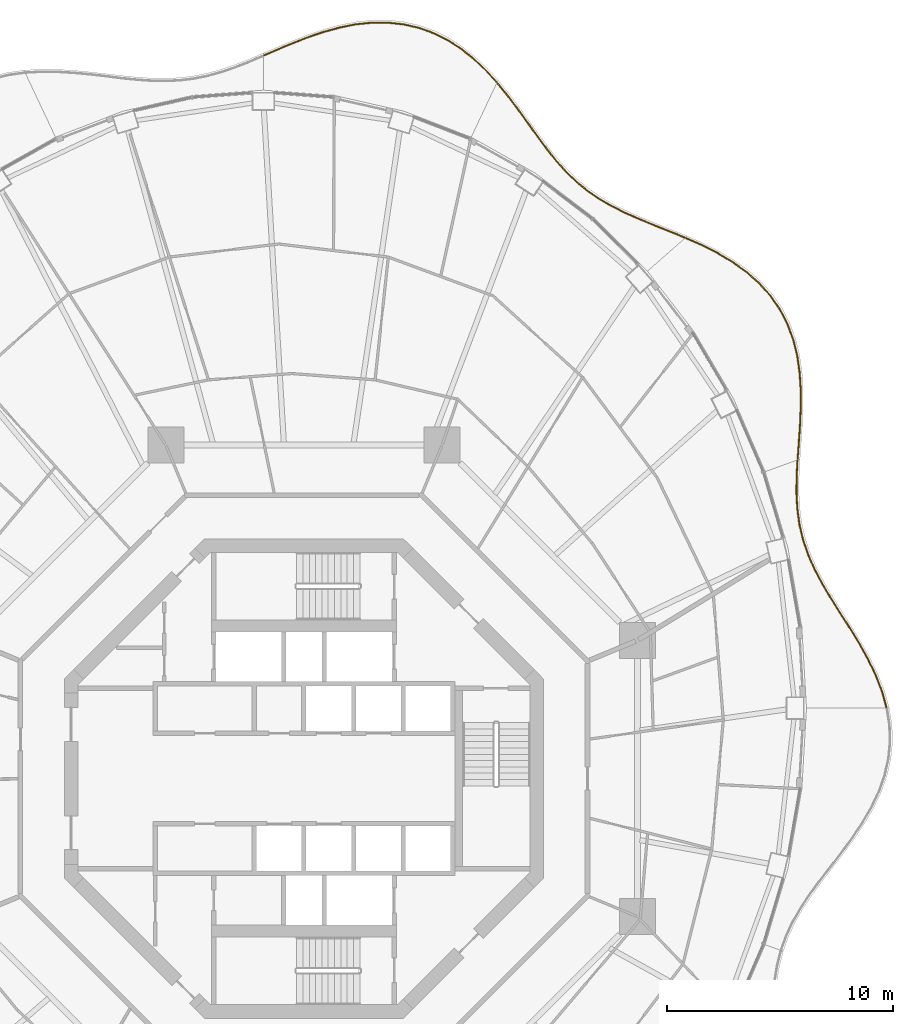
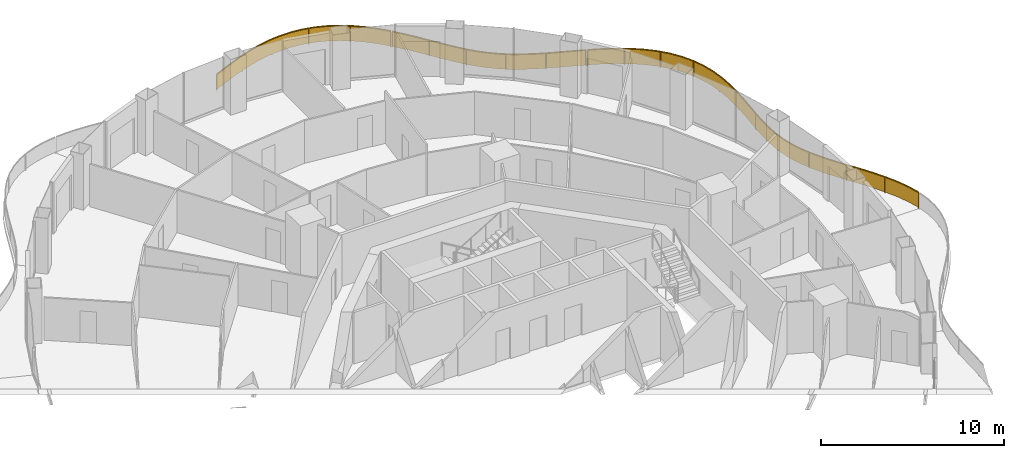
# One storey, part 18 of 18: 4 railings.
"""IFC4 building model written with IfcOpenShell, lengths in metres."""

from ifc_helpers import new_model, si_unit, direction, frame, origin, origin_2d, place, context, subcontext, project, spatial, polyline, rectangle, outline, extrude, material, type_object, element, save


model = new_model("IFC4")

# Units and contexts
model_context = context("Model", 3, precision=1e-05, world=origin(), true_north=direction((0.0, 1.0)))
body_context = subcontext(model_context, "Body", "Model", "MODEL_VIEW")
ifc_project = project(units=[si_unit("LENGTHUNIT", "METRE"), si_unit("AREAUNIT", "SQUARE_METRE"), si_unit("VOLUMEUNIT", "CUBIC_METRE"), si_unit("PLANEANGLEUNIT", "RADIAN"), si_unit("MASSUNIT", "GRAM", prefix="KILO")], contexts=[model_context])

# Site, building, storey
site_placement = place(None, origin())
site = spatial("IfcSite", under=ifc_project, at=site_placement, CompositionType="ELEMENT")
building_placement = place(site_placement, origin())
building = spatial("IfcBuilding", under=site, at=building_placement, Name="Nagisa Residences", CompositionType="ELEMENT")
storey_placement = place(building_placement, frame((0.0, 0.0, 219.60009765625)))
storey = spatial("IfcBuildingStorey", under=building, at=storey_placement, Name="L55", CompositionType="ELEMENT", Elevation=219.60009765625)

# Railings
ifc_material = material(Name="Stainless steel 316", Category="steel")
railing_type = type_object("IfcRailingType", Name="BALCONY GUARD 1100", PredefinedType="BALUSTRADE", material=ifc_material)
railing_1_placement = place(storey_placement, frame((25.813720703125, 3.155029296875, 0.0)))
element("IfcRailing", 1, at=railing_1_placement, inside=storey, type_object=railing_type, Name="guard:L55:bal00-0", PredefinedType="BALUSTRADE", context=body_context, shape_type="SweptSolid", body=[
    extrude(outline(polyline([(-0.2197265625, 0.69091796875), (-0.024169921875, -0.0068359375), (0.024169921875, 0.0068359375), (-0.17236328125, 0.70654296875), (-0.456787109375, 1.440185546875), (-0.803466796875, 2.158203125), (-1.195068359375, 2.859375), (-1.612548828125, 3.54296875), (-2.035400390625, 4.196533203125), (-2.447021484375, 4.8505859375), (-2.82958984375, 5.49609375), (-3.16796875, 6.137939453125), (-3.451416015625, 6.78173828125), (-3.670166015625, 7.420654296875), (-3.82763671875, 8.08740234375), (-3.923095703125, 8.7734375), (-3.962158203125, 9.48193359375), (-3.955810546875, 10.21533203125), (-3.917724609375, 10.928466796875), (-3.967529296875, 10.930908203125), (-4.005615234375, 10.216796875), (-4.012451171875, 9.48095703125), (-3.972900390625, 8.7685546875), (-3.876953125, 8.078125), (-3.718505859375, 7.406982421875), (-3.498291015625, 6.763671875), (-3.212890625, 6.115966796875), (-2.873046875, 5.4716796875), (-2.489501953125, 4.82470703125), (-2.077392578125, 4.169677734375), (-1.655029296875, 3.51611328125), (-1.238525390625, 2.833984375), (-0.847900390625, 2.13525390625), (-0.502685546875, 1.420166015625), (-0.2197265625, 0.69091796875)])), frame((0.0, 0.0, 1.050048828125)), (0.0, 0.0, 1.0), 0.050048828125),
    extrude(outline(polyline([(-0.20263671875, 0.696533203125), (-0.0068359375, -0.001953125), (0.0068359375, 0.001953125), (-0.189453125, 0.700927734375), (-0.473388671875, 1.432861328125), (-0.819580078125, 2.14990234375), (-1.210693359375, 2.85009765625), (-1.6279296875, 3.533203125), (-2.050537109375, 4.186767578125), (-2.46240234375, 4.84130859375), (-2.84521484375, 5.4873046875), (-3.18408203125, 6.1298828125), (-3.46826171875, 6.775146484375), (-3.6875, 7.415771484375), (-3.845458984375, 8.083984375), (-3.94091796875, 8.771728515625), (-3.980224609375, 9.481689453125), (-3.9736328125, 10.2158203125), (-3.935546875, 10.92919921875), (-3.94970703125, 10.93017578125), (-3.98779296875, 10.21630859375), (-3.994384765625, 9.481201171875), (-3.955078125, 8.770263671875), (-3.859130859375, 8.08154296875), (-3.701171875, 7.411865234375), (-3.4814453125, 6.770263671875), (-3.19677734375, 6.1240234375), (-2.857421875, 5.48046875), (-2.47412109375, 4.833984375), (-2.062255859375, 4.179443359375), (-1.6396484375, 3.52587890625), (-1.222900390625, 2.84326171875), (-0.831787109375, 2.1435546875), (-0.486083984375, 1.427490234375), (-0.20263671875, 0.696533203125)])), frame((0.0, 0.0, 0.06005859375)), (0.0, 0.0, 1.0), 0.989990234375),
    extrude(rectangle(XDim=0.0400390625, YDim=0.0400390625, at=origin_2d()), origin(), (0.0, 0.0, 1.0), 1.050048828125),
    extrude(rectangle(XDim=0.0400390625, YDim=0.0400390625, at=origin_2d()), frame((-0.8583984375, 2.205078125, 0.0)), (0.0, 0.0, 1.0), 1.050048828125),
    extrude(rectangle(XDim=0.0400390625, YDim=0.0400390625, at=origin_2d()), frame((-2.088134765625, 4.2333984375, 0.0)), (0.0, 0.0, 1.0), 1.050048828125),
    extrude(rectangle(XDim=0.0400390625, YDim=0.0400390625, at=origin_2d()), frame((-3.26318359375, 6.292236328125, 0.0)), (0.0, 0.0, 1.0), 1.050048828125),
    extrude(rectangle(XDim=0.0400390625, YDim=0.0400390625, at=origin_2d()), frame((-3.918701171875, 8.56103515625, 0.0)), (0.0, 0.0, 1.0), 1.050048828125),
    extrude(rectangle(XDim=0.0400390625, YDim=0.0400390625, at=origin_2d()), frame((-3.942626953125, 10.9296875, 0.0)), (0.0, 0.0, 1.0), 1.050048828125),
])
railing_2_placement = place(storey_placement, frame((21.877685546875, 14.15966796875, 0.0)))
element("IfcRailing", 2, at=railing_2_placement, inside=storey, type_object=railing_type, Name="guard:L55:bal01-0", PredefinedType="BALUSTRADE", context=body_context, shape_type="SweptSolid", body=[
    extrude(outline(polyline([(0.027099609375, 0.7119140625), (-0.02490234375, 0.001708984375), (0.02490234375, -0.001708984375), (0.076904296875, 0.70849609375), (0.128662109375, 1.478515625), (0.162841796875, 2.258056640625), (0.163330078125, 3.039794921875), (0.11474609375, 3.814697265625), (0.01123046875, 4.56103515625), (-0.1708984375, 5.295166015625), (-0.431396484375, 5.9951171875), (-0.773193359375, 6.65283203125), (-1.195556640625, 7.26220703125), (-1.687255859375, 7.8076171875), (-2.25341796875, 8.30859375), (-2.87890625, 8.757568359375), (-3.549560546875, 9.15673828125), (-4.251220703125, 9.5126953125), (-4.929443359375, 9.8125), (-4.949462890625, 9.7666015625), (-4.272705078125, 9.46728515625), (-3.573486328125, 9.11279296875), (-2.90625, 8.715576171875), (-2.28466796875, 8.26953125), (-1.722412109375, 7.77197265625), (-1.235107421875, 7.23095703125), (-0.816162109375, 6.626953125), (-0.477294921875, 5.974609375), (-0.21875, 5.280517578125), (-0.0380859375, 4.5517578125), (0.06494140625, 3.809814453125), (0.113037109375, 3.038330078125), (0.113037109375, 2.259033203125), (0.078857421875, 1.4814453125), (0.027099609375, 0.7119140625)])), frame((0.0, 0.0, 1.050048828125)), (0.0, 0.0, 1.0), 0.050048828125),
    extrude(outline(polyline([(0.044921875, 0.710693359375), (-0.007080078125, 0.00048828125), (0.007080078125, -0.00048828125), (0.05908203125, 0.709716796875), (0.11083984375, 1.4794921875), (0.14501953125, 2.25830078125), (0.145263671875, 3.039306640625), (0.096923828125, 3.81298828125), (-0.006591796875, 4.5576171875), (-0.188232421875, 5.289794921875), (-0.447998046875, 5.98779296875), (-0.78857421875, 6.6435546875), (-1.209716796875, 7.2509765625), (-1.699951171875, 7.794677734375), (-2.2646484375, 8.29443359375), (-2.888671875, 8.742431640625), (-3.55810546875, 9.140869140625), (-4.259033203125, 9.496337890625), (-4.9365234375, 9.7958984375), (-4.9423828125, 9.783203125), (-4.264892578125, 9.483642578125), (-3.56494140625, 9.128662109375), (-2.896484375, 8.730712890625), (-2.2734375, 8.28369140625), (-1.709716796875, 7.784912109375), (-1.220947265625, 7.2421875), (-0.80078125, 6.63623046875), (-0.460693359375, 5.98193359375), (-0.201416015625, 5.285888671875), (-0.020263671875, 4.55517578125), (0.082763671875, 3.8115234375), (0.131103515625, 3.038818359375), (0.130859375, 2.2587890625), (0.0966796875, 1.48046875), (0.044921875, 0.710693359375)])), frame((0.0, 0.0, 0.06005859375)), (0.0, 0.0, 1.0), 0.989990234375),
    extrude(rectangle(XDim=0.0400390625, YDim=0.0400390625, at=origin_2d()), origin(), (0.0, 0.0, 1.0), 1.050048828125),
    extrude(rectangle(XDim=0.0400390625, YDim=0.0400390625, at=origin_2d()), frame((0.127197265625, 2.012451171875, 0.0)), (0.0, 0.0, 1.0), 1.050048828125),
    extrude(rectangle(XDim=0.0400390625, YDim=0.0400390625, at=origin_2d()), frame((0.060302734375, 4.025390625, 0.0)), (0.0, 0.0, 1.0), 1.050048828125),
    extrude(rectangle(XDim=0.0400390625, YDim=0.0400390625, at=origin_2d()), frame((-0.448486328125, 5.968994140625, 0.0)), (0.0, 0.0, 1.0), 1.050048828125),
    extrude(rectangle(XDim=0.0400390625, YDim=0.0400390625, at=origin_2d()), frame((-1.565673828125, 7.635498046875, 0.0)), (0.0, 0.0, 1.0), 1.050048828125),
    extrude(rectangle(XDim=0.0400390625, YDim=0.0400390625, at=origin_2d()), frame((-3.14013671875, 8.8837890625, 0.0)), (0.0, 0.0, 1.0), 1.050048828125),
    extrude(rectangle(XDim=0.0400390625, YDim=0.0400390625, at=origin_2d()), frame((-4.939453125, 9.78955078125, 0.0)), (0.0, 0.0, 1.0), 1.050048828125),
])
railing_3_placement = place(storey_placement, frame((16.8671875, 23.97802734375, 0.0)))
element("IfcRailing", 3, at=railing_3_placement, inside=storey, type_object=railing_type, Name="guard:L55:bal02-0", PredefinedType="BALUSTRADE", context=body_context, shape_type="SweptSolid", body=[
    extrude(outline(polyline([(-0.655029296875, 0.240234375), (-0.009521484375, -0.023193359375), (0.009521484375, 0.023193359375), (-0.636474609375, 0.28662109375), (-1.314697265625, 0.5576171875), (-1.973876953125, 0.82763671875), (-2.605712890625, 1.10693359375), (-3.205322265625, 1.40576171875), (-3.75634765625, 1.72265625), (-4.28369140625, 2.08544921875), (-4.777099609375, 2.489013671875), (-5.24072265625, 2.935791015625), (-5.681640625, 3.425537109375), (-6.093017578125, 3.94580078125), (-6.511962890625, 4.5087890625), (-6.933837890625, 5.096435546875), (-7.36767578125, 5.69775390625), (-7.8212890625, 6.29931640625), (-8.270751953125, 6.852783203125), (-8.309814453125, 6.821044921875), (-7.86083984375, 6.2685546875), (-7.40771484375, 5.66796875), (-6.974365234375, 5.067138671875), (-6.552490234375, 4.4794921875), (-6.132568359375, 3.91552734375), (-5.7197265625, 3.393310546875), (-5.27685546875, 2.901123046875), (-4.810302734375, 2.451416015625), (-4.31396484375, 2.04541015625), (-3.783203125, 1.68017578125), (-3.228759765625, 1.36181640625), (-2.627197265625, 1.0615234375), (-1.993408203125, 0.78173828125), (-1.333251953125, 0.51123046875), (-0.655029296875, 0.240234375)])), frame((0.0, 0.0, 1.050048828125)), (0.0, 0.0, 1.0), 0.050048828125),
    extrude(outline(polyline([(-0.6484375, 0.2568359375), (-0.002685546875, -0.006591796875), (0.002685546875, 0.006591796875), (-0.64306640625, 0.27001953125), (-1.3212890625, 0.541015625), (-1.98095703125, 0.81103515625), (-2.613525390625, 1.090576171875), (-3.213623046875, 1.389892578125), (-3.76611328125, 1.707275390625), (-4.294677734375, 2.071044921875), (-4.7890625, 2.475341796875), (-5.253662109375, 2.92333984375), (-5.6953125, 3.4140625), (-6.107177734375, 3.934814453125), (-6.526611328125, 4.498291015625), (-6.948486328125, 5.0859375), (-7.382080078125, 5.68701171875), (-7.83544921875, 6.288330078125), (-8.284912109375, 6.84130859375), (-8.295654296875, 6.83251953125), (-7.8466796875, 6.279541015625), (-7.393310546875, 5.6787109375), (-6.959716796875, 5.07763671875), (-6.537841796875, 4.489990234375), (-6.118408203125, 3.926513671875), (-5.7060546875, 3.40478515625), (-5.263916015625, 2.91357421875), (-4.79833984375, 2.465087890625), (-4.302978515625, 2.059814453125), (-3.7734375, 1.695556640625), (-3.220458984375, 1.377685546875), (-2.619384765625, 1.077880859375), (-1.986328125, 0.79833984375), (-1.32666015625, 0.52783203125), (-0.6484375, 0.2568359375)])), frame((0.0, 0.0, 0.06005859375)), (0.0, 0.0, 1.0), 0.989990234375),
    extrude(rectangle(XDim=0.0400390625, YDim=0.0400390625, at=origin_2d()), origin(), (0.0, 0.0, 1.0), 1.050048828125),
    extrude(rectangle(XDim=0.0400390625, YDim=0.0400390625, at=origin_2d()), frame((-2.042724609375, 0.830810546875, 0.0)), (0.0, 0.0, 1.0), 1.050048828125),
    extrude(rectangle(XDim=0.0400390625, YDim=0.0400390625, at=origin_2d()), frame((-3.99169921875, 1.85400390625, 0.0)), (0.0, 0.0, 1.0), 1.050048828125),
    extrude(rectangle(XDim=0.0400390625, YDim=0.0400390625, at=origin_2d()), frame((-5.624755859375, 3.324951171875, 0.0)), (0.0, 0.0, 1.0), 1.050048828125),
    extrude(rectangle(XDim=0.0400390625, YDim=0.0400390625, at=origin_2d()), frame((-6.954833984375, 5.082763671875, 0.0)), (0.0, 0.0, 1.0), 1.050048828125),
    extrude(rectangle(XDim=0.0400390625, YDim=0.0400390625, at=origin_2d()), frame((-8.290283203125, 6.8369140625, 0.0)), (0.0, 0.0, 1.0), 1.050048828125),
])
railing_4_placement = place(storey_placement, frame((8.52734375, 30.8740234375, 0.0)))
element("IfcRailing", 4, at=railing_4_placement, inside=storey, type_object=railing_type, Name="guard:L55:bal03-0", PredefinedType="BALUSTRADE", context=body_context, shape_type="SweptSolid", body=[
    extrude(outline(polyline([(-0.478271484375, 0.4892578125), (-0.0185546875, -0.016845703125), (0.0185546875, 0.016845703125), (-0.442626953125, 0.5244140625), (-0.971923828125, 1.025146484375), (-1.536376953125, 1.474853515625), (-2.135986328125, 1.8623046875), (-2.76806640625, 2.178955078125), (-3.41357421875, 2.41357421875), (-4.099365234375, 2.572509765625), (-4.802978515625, 2.650634765625), (-5.517822265625, 2.649658203125), (-6.237548828125, 2.57568359375), (-6.93896484375, 2.434326171875), (-7.648193359375, 2.24072265625), (-8.3466796875, 2.005126953125), (-9.030029296875, 1.740966796875), (-9.696533203125, 1.462158203125), (-10.30322265625, 1.1982421875), (-10.283203125, 1.15234375), (-9.677001953125, 1.416259765625), (-9.011474609375, 1.694580078125), (-8.32958984375, 1.958251953125), (-7.633544921875, 2.19287109375), (-6.92724609375, 2.385498046875), (-6.230224609375, 2.5263671875), (-5.515380859375, 2.599853515625), (-4.805908203125, 2.600341796875), (-4.107666015625, 2.523193359375), (-3.427734375, 2.36572265625), (-2.7880859375, 2.133056640625), (-2.160888671875, 1.81884765625), (-1.565673828125, 1.434326171875), (-1.004638671875, 0.987548828125), (-0.478271484375, 0.4892578125)])), frame((0.0, 0.0, 1.050048828125)), (0.0, 0.0, 1.0), 0.050048828125),
    extrude(outline(polyline([(-0.46533203125, 0.501953125), (-0.005126953125, -0.004638671875), (0.005126953125, 0.004638671875), (-0.45556640625, 0.51171875), (-0.983642578125, 1.01171875), (-1.546875, 1.460205078125), (-2.14501953125, 1.8466796875), (-2.775390625, 2.162353515625), (-3.418701171875, 2.396484375), (-4.102294921875, 2.5546875), (-4.803955078125, 2.632568359375), (-5.516845703125, 2.6318359375), (-6.23486328125, 2.557861328125), (-6.934814453125, 2.416748046875), (-7.642822265625, 2.223388671875), (-8.340576171875, 1.98828125), (-9.0234375, 1.724365234375), (-9.689453125, 1.445556640625), (-10.2958984375, 1.181640625), (-10.29052734375, 1.1689453125), (-9.68408203125, 1.432861328125), (-9.01806640625, 1.711181640625), (-8.335693359375, 1.97509765625), (-7.638916015625, 2.210205078125), (-6.931396484375, 2.403076171875), (-6.23291015625, 2.544189453125), (-5.516357421875, 2.61767578125), (-4.804931640625, 2.618408203125), (-4.104736328125, 2.541015625), (-3.422607421875, 2.3828125), (-2.78076171875, 2.149658203125), (-2.15185546875, 1.83447265625), (-1.55517578125, 1.448974609375), (-0.992919921875, 1.0009765625), (-0.46533203125, 0.501953125)])), frame((0.0, 0.0, 0.06005859375)), (0.0, 0.0, 1.0), 0.989990234375),
    extrude(rectangle(XDim=0.0400390625, YDim=0.0400390625, at=origin_2d()), origin(), (0.0, 0.0, 1.0), 1.050048828125),
    extrude(rectangle(XDim=0.0400390625, YDim=0.0400390625, at=origin_2d()), frame((-1.6708984375, 1.531982421875, 0.0)), (0.0, 0.0, 1.0), 1.050048828125),
    extrude(rectangle(XDim=0.0400390625, YDim=0.0400390625, at=origin_2d()), frame((-3.729248046875, 2.461181640625, 0.0)), (0.0, 0.0, 1.0), 1.050048828125),
    extrude(rectangle(XDim=0.0400390625, YDim=0.0400390625, at=origin_2d()), frame((-5.986083984375, 2.576416015625, 0.0)), (0.0, 0.0, 1.0), 1.050048828125),
    extrude(rectangle(XDim=0.0400390625, YDim=0.0400390625, at=origin_2d()), frame((-8.18798828125, 2.0322265625, 0.0)), (0.0, 0.0, 1.0), 1.050048828125),
    extrude(rectangle(XDim=0.0400390625, YDim=0.0400390625, at=origin_2d()), frame((-10.293212890625, 1.17529296875, 0.0)), (0.0, 0.0, 1.0), 1.050048828125),
])

save(model, "model.ifc")
